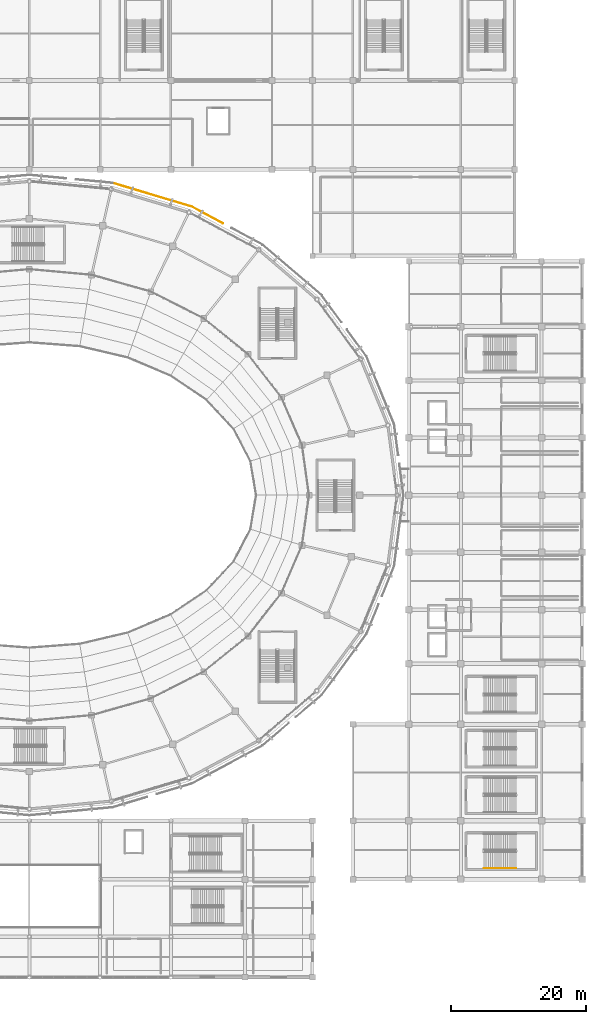
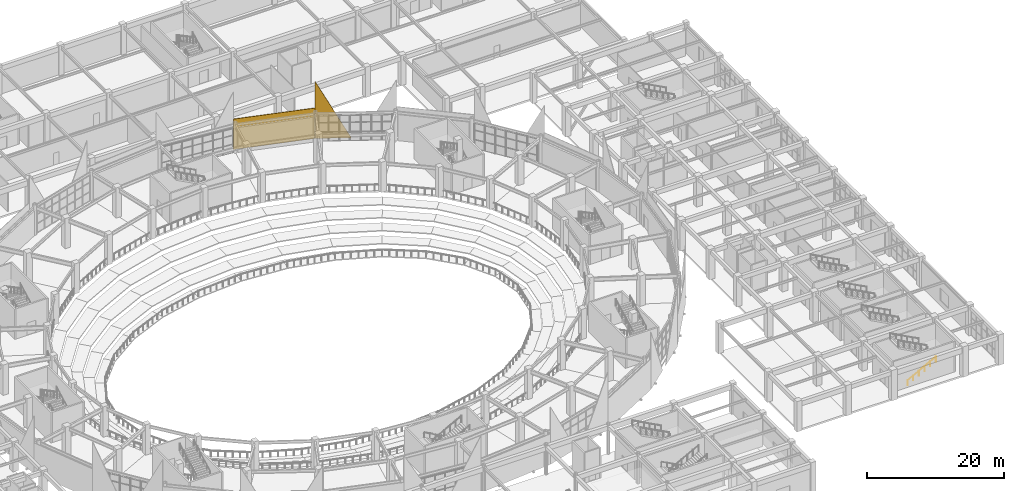
# One storey, part 112 of 120: 2 coverings, 1 railing.
"""IFC4 building model written with IfcOpenShell, lengths in metres."""

from ifc_helpers import new_model, si_unit, direction, frame, frame_2d, origin, origin_2d, place, context, subcontext, project, spatial, polyline, rectangle, circle, outline, extrude, material, layer, layer_set, type_object, element, save


model = new_model("IFC4")

# Units and contexts
model_context = context("Model", 3, precision=1e-05, world=origin(), true_north=direction((0.0, 1.0)))
body_context = subcontext(model_context, "Body", "Model", "MODEL_VIEW")
ifc_project = project(units=[si_unit("LENGTHUNIT", "METRE"), si_unit("AREAUNIT", "SQUARE_METRE"), si_unit("VOLUMEUNIT", "CUBIC_METRE"), si_unit("PLANEANGLEUNIT", "RADIAN"), si_unit("MASSUNIT", "GRAM", prefix="KILO")], contexts=[model_context])

# Site, building, storey
site_placement = place(None, origin())
site = spatial("IfcSite", under=ifc_project, at=site_placement, CompositionType="ELEMENT")
building_placement = place(site_placement, origin())
building = spatial("IfcBuilding", under=site, at=building_placement, Name="Cuetzalor Civic Arena", CompositionType="ELEMENT")
storey_placement = place(building_placement, frame((0.0, 0.0, 6.0)))
storey = spatial("IfcBuildingStorey", under=building, at=storey_placement, Name="L01", CompositionType="ELEMENT", Elevation=6.0)

# Railing
ifc_material_1 = material(Name="Galvanised steel S355", Category="steel")
railing_type = type_object("IfcRailingType", Name="StairPitchHandrail_900", PredefinedType="HANDRAIL", material=ifc_material_1)
railing_placement = place(storey_placement, frame((67.449951171875, -55.35009765625, 0.168701171875)))
element("IfcRailing", 1, at=railing_placement, inside=storey, type_object=railing_type, Name="L01 ST-18 stair handrail 1", PredefinedType="HANDRAIL", context=body_context, shape_type="SweptSolid", body=[
    extrude(circle(Radius=0.02392578125, at=origin_2d()), frame((0.0, 0.0, 0.8759765625), z_axis=(0.883332211103, 0.0, 0.468747485143), x_axis=(0.0, 1.0, 0.0)), (0.0, 0.0, 1.0), 5.400146484375),
    extrude(circle(Radius=0.02099609375, at=origin_2d()), origin(), (0.0, 0.0, 1.0), 0.851806640625),
    extrude(circle(Radius=0.02099609375, at=origin_2d()), frame((0.9541015625, 0.0, 0.50634765625)), (0.0, 0.0, 1.0), 0.851806640625),
    extrude(circle(Radius=0.02099609375, at=origin_2d()), frame((1.907958984375, 0.0, 1.012451171875)), (0.0, 0.0, 1.0), 0.851806640625),
    extrude(circle(Radius=0.02099609375, at=origin_2d()), frame((2.862060546875, 0.0, 1.518798828125)), (0.0, 0.0, 1.0), 0.851806640625),
    extrude(circle(Radius=0.02099609375, at=origin_2d()), frame((3.81591796875, 0.0, 2.02490234375)), (0.0, 0.0, 1.0), 0.851806640625),
    extrude(circle(Radius=0.02099609375, at=origin_2d()), frame((4.77001953125, 0.0, 2.53125)), (0.0, 0.0, 1.0), 0.851806640625),
])

# Coverings
ifc_material_2 = material(Name="Terracotta-red perforated anodised aluminium panel", Category="masonry")
ifc_layer = layer(ifc_material_2, 0.080078125)
ifc_layer_set = layer_set([ifc_layer], Name="Terracotta-red perforated anodised aluminium panel")
covering_type = type_object("IfcCoveringType", Name="TerracottaPerforatedScreenPanel", PredefinedType="CLADDING", material=ifc_layer_set)
covering_1_placement = place(storey_placement, frame((24.08056640625, 42.7958984375, -0.14990234375), z_axis=(0.0, 0.0, 1.0), x_axis=(0.880721493642, -0.473634511661, 0.0)))
element("IfcCovering", 2, at=covering_1_placement, inside=storey, type_object=covering_type, Name="Terracotta Perforated Triangle Cheek Left S05", PredefinedType="CLADDING", context=body_context, shape_type="SweptSolid", body=[
    extrude(outline(polyline([(0.0, 0.0), (5.257080078125, 0.0), (5.25732421875, 0.139892578125), (0.0, 10.22998046875), (0.0, 0.0)])), frame((0.0, 0.0400390625, 0.0), z_axis=(0.0, -1.0, 0.0), x_axis=(1.0, 0.0, 0.0)), (0.0, 0.0, 1.0), 0.080078125),
])
covering_2_placement = place(storey_placement, frame((12.349853515625, 46.30908203125, -0.14990234375), z_axis=(0.0, 0.0, 1.0), x_axis=(0.957961714935, -0.286896066056, 0.0)))
element("IfcCovering", 3, at=covering_2_placement, inside=storey, type_object=covering_type, Name="Terracotta Perforated Drum Screen L01-S06", PredefinedType="CLADDING", context=body_context, shape_type="SweptSolid", body=[
    extrude(rectangle(XDim=12.24560546875, YDim=0.080078125, at=frame_2d((6.122802734375, 0.0))), origin(), (0.0, 0.0, 1.0), 5.429931640625),
])

save(model, "model.ifc")
